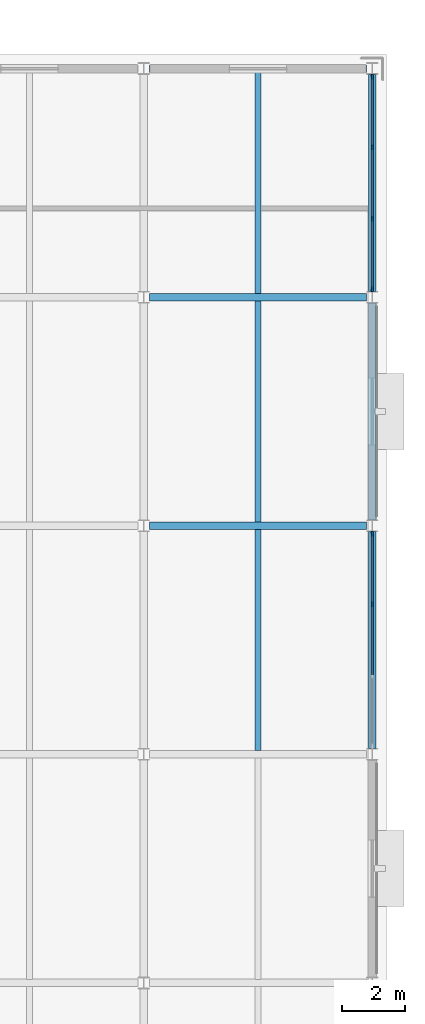
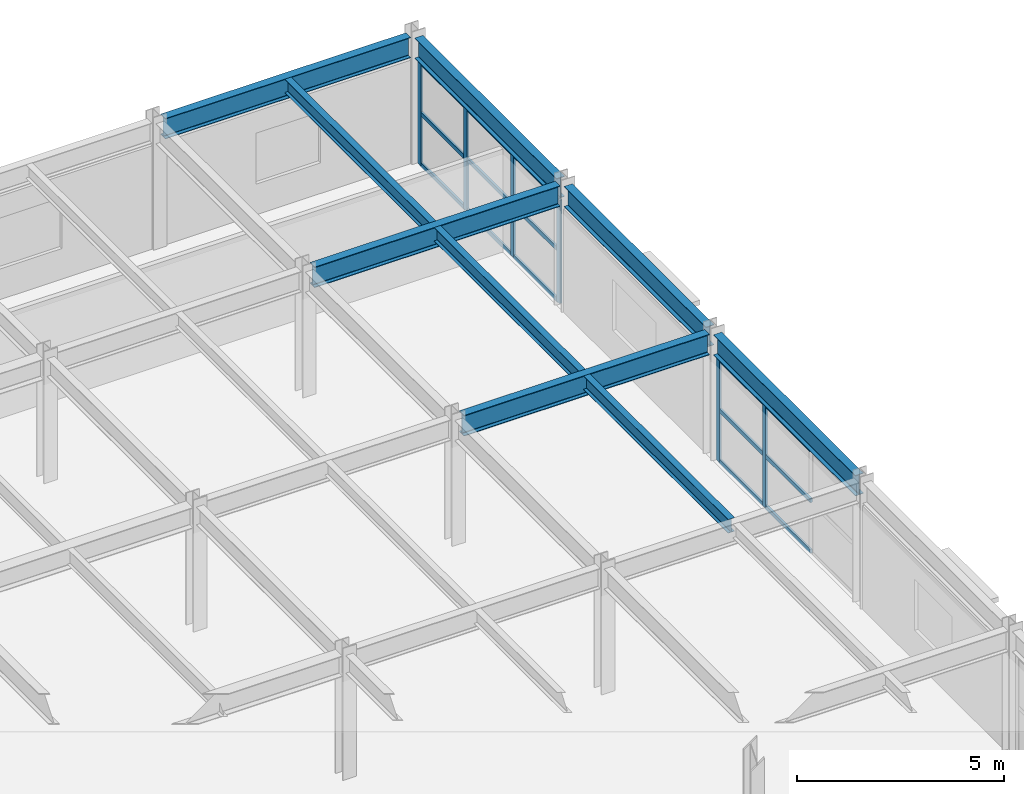
# One storey, part 49 of 93: 21 members, 9 beams, 2 elements without a shape of their own.
"""IFC4 building model written with IfcOpenShell, lengths in metres."""

from ifc_helpers import new_model, si_unit, direction, frame, origin, origin_2d, place, context, subcontext, project, spatial, rectangle, i_section, extrude, material, material_profile, profile_set, type_object, element, aggregate, save


model = new_model("IFC4")

# Units and contexts
model_context = context("Model", 3, precision=1e-05, world=origin(), true_north=direction((0.0, 1.0)))
body_context = subcontext(model_context, "Body", "Model", "MODEL_VIEW")
ifc_project = project(units=[si_unit("LENGTHUNIT", "METRE"), si_unit("AREAUNIT", "SQUARE_METRE"), si_unit("VOLUMEUNIT", "CUBIC_METRE"), si_unit("PLANEANGLEUNIT", "RADIAN"), si_unit("MASSUNIT", "GRAM", prefix="KILO")], contexts=[model_context])

# Site, building, storey
site_placement = place(None, origin())
site = spatial("IfcSite", under=ifc_project, at=site_placement, CompositionType="ELEMENT")
building_placement = place(site_placement, origin())
building = spatial("IfcBuilding", under=site, at=building_placement, Name="Vaelcorin Mobility Hub", CompositionType="ELEMENT")
storey_placement = place(building_placement, frame((0.0, 0.0, 5.39990234375)))
storey = spatial("IfcBuildingStorey", under=building, at=storey_placement, Name="L01", CompositionType="ELEMENT", Elevation=5.39990234375)

# Beams
ifc_material_1 = material(Name="Steel ASTM A992 Grade 50", Category="steel")
ifc_material_profile_1 = material_profile(ifc_material_1, i_section(OverallWidth=0.177978515625, OverallDepth=0.404052734375, WebThickness=0.007568359375, FlangeThickness=0.010986328125, FilletRadius=0.012939453125, at=origin_2d()), Name="W16X36")
ifc_profile_set_1 = profile_set([ifc_material_profile_1], Name="Steel ASTM A992 Grade 50")
beam_type_1 = type_object("IfcBeamType", Name="BM-W16X36", PredefinedType="JOIST", material=ifc_profile_set_1)
for number, where, z_axis, x_axis, name in (
    (1, (200.39990234375, 98.511962890625, 3.498046875), (0.0, 1.0, 0.0), (-1.0, 0.0, 0.0), "L01 Beam V5E-L01-J-02-12-1"),
    (2, (200.39990234375, 105.7119140625, 3.498046875), (0.0, 1.0, 0.0), (-1.0, 0.0, 0.0), "L01 Beam V5E-L01-J-02-13-1"),
):
    element("IfcBeam", number, at=place(storey_placement, frame(where, z_axis=z_axis, x_axis=x_axis)), inside=storey, type_object=beam_type_1, Name=name, PredefinedType="JOIST", context=body_context, shape_type="SweptSolid", body=[
        extrude(i_section(OverallWidth=0.177978515625, OverallDepth=0.404052734375, WebThickness=0.007568359375, FlangeThickness=0.010986328125, FilletRadius=0.012939453125, at=origin_2d()), origin(), (0.0, 0.0, 1.0), 6.97607421875),
    ])
beam_1_placement = place(storey_placement, frame((200.39990234375, 112.912109375, 3.498046875), z_axis=(0.0, 1.0, 0.0), x_axis=(-1.0, 0.0, 0.0)))
element("IfcBeam", 3, at=beam_1_placement, inside=storey, type_object=beam_type_1, Name="L01 Beam V5E-L01-J-02-14-1", PredefinedType="JOIST", context=body_context, shape_type="SweptSolid", body=[
    extrude(i_section(OverallWidth=0.177978515625, OverallDepth=0.404052734375, WebThickness=0.007568359375, FlangeThickness=0.010986328125, FilletRadius=0.012939453125, at=origin_2d()), origin(), (0.0, 0.0, 1.0), 6.975830078125),
])
ifc_material_profile_2 = material_profile(ifc_material_1, i_section(OverallWidth=0.22802734375, OverallDepth=0.60205078125, WebThickness=0.010498046875, FlangeThickness=0.014892578125, FilletRadius=0.014892578125, at=origin_2d()), Name="W24X68")
ifc_profile_set_2 = profile_set([ifc_material_profile_2], Name="Steel ASTM A992 Grade 50")
beam_type_2 = type_object("IfcBeamType", Name="BM-W24X68", PredefinedType="SPANDREL", material=ifc_profile_set_2)
beam_2_placement = place(storey_placement, frame((196.985107421875, 120.0, 3.399169921875), z_axis=(1.0, 0.0, 0.0), x_axis=(0.0, 1.0, 0.0)))
element("IfcBeam", 4, at=beam_2_placement, inside=storey, type_object=beam_type_2, Name="L01 Beam V5E-L01-GX-15-02", PredefinedType="SPANDREL", context=body_context, shape_type="SweptSolid", body=[
    extrude(i_section(OverallWidth=0.22802734375, OverallDepth=0.60205078125, WebThickness=0.010498046875, FlangeThickness=0.014892578125, FilletRadius=0.014892578125, at=origin_2d()), origin(), (0.0, 0.0, 1.0), 6.830810546875),
])
for number, where, z_axis, x_axis, name in (
    (5, (204.0, 98.583984375, 3.399169921875), (0.0, 1.0, 0.0), (-1.0, 0.0, 0.0), "L01 Beam V5E-L01-GY-03-12"),
    (6, (204.0, 105.783935546875, 3.399169921875), (0.0, 1.0, 0.0), (-1.0, 0.0, 0.0), "L01 Beam V5E-L01-GY-03-13"),
    (7, (204.0, 112.98388671875, 3.399169921875), (0.0, 1.0, 0.0), (-1.0, 0.0, 0.0), "L01 Beam V5E-L01-GY-03-14"),
):
    element("IfcBeam", number, at=place(storey_placement, frame(where, z_axis=z_axis, x_axis=x_axis)), inside=storey, type_object=beam_type_2, Name=name, PredefinedType="SPANDREL", context=body_context, shape_type="SweptSolid", body=[
        extrude(i_section(OverallWidth=0.22802734375, OverallDepth=0.60205078125, WebThickness=0.010498046875, FlangeThickness=0.014892578125, FilletRadius=0.014892578125, at=origin_2d()), origin(), (0.0, 0.0, 1.0), 6.83203125),
    ])
ifc_material_profile_3 = material_profile(ifc_material_1, i_section(OverallWidth=0.22900390625, OverallDepth=0.612060546875, WebThickness=0.011962890625, FlangeThickness=0.01953125, FilletRadius=0.014892578125, at=origin_2d()), Name="W24X84")
ifc_profile_set_3 = profile_set([ifc_material_profile_3], Name="Steel ASTM A992 Grade 50")
beam_type_3 = type_object("IfcBeamType", Name="BM-W24X84", PredefinedType="BEAM", material=ifc_profile_set_3)
for number, where, z_axis, x_axis, name in (
    (8, (196.985107421875, 105.60009765625, 3.39404296875), (1.0, 0.0, 0.0), (0.0, 1.0, 0.0), "L01 Beam V5E-L01-GX-13-02"),
    (9, (196.985107421875, 112.800048828125, 3.39404296875), (1.0, 0.0, 0.0), (0.0, 1.0, 0.0), "L01 Beam V5E-L01-GX-14-02"),
):
    element("IfcBeam", number, at=place(storey_placement, frame(where, z_axis=z_axis, x_axis=x_axis)), inside=storey, type_object=beam_type_3, Name=name, PredefinedType="BEAM", context=body_context, shape_type="SweptSolid", body=[
        extrude(i_section(OverallWidth=0.22900390625, OverallDepth=0.612060546875, WebThickness=0.011962890625, FlangeThickness=0.01953125, FilletRadius=0.014892578125, at=origin_2d()), origin(), (0.0, 0.0, 1.0), 6.830810546875),
    ])

# Curtain wall, members
ifc_material_2 = material(Name="Anodised aluminium 6063-T6", Category="aluminium")
curtain_wall_type = type_object("IfcCurtainWallType", Name="CW-MOB-A", PredefinedType="NOTDEFINED", material=ifc_material_2)
curtain_wall_1_placement = place(storey_placement, origin())
curtain_wall_1 = element("IfcCurtainWall", 10, at=curtain_wall_1_placement, inside=storey, type_object=curtain_wall_type, Name="L01 Curtain Wall CW-V5-L01-E-12", PredefinedType="NOTDEFINED")
ifc_material_profile_4 = material_profile(ifc_material_2, rectangle(XDim=0.06005859375, YDim=0.159912109375, at=origin_2d()), Name="ALU-M60X160")
ifc_profile_set_4 = profile_set([ifc_material_profile_4], Name="Anodised aluminium 6063-T6")
member_type_1 = type_object("IfcMemberType", Name="CW-MULL-160", PredefinedType="MULLION", material=ifc_profile_set_4)
member_1_placement = place(storey_placement, frame((204.0, 105.35009765625, 0.0), z_axis=(0.0, 0.0, 1.0), x_axis=(1.0, 0.0, 0.0)))
member_1 = element("IfcMember", 11, at=member_1_placement, type_object=member_type_1, Name="CW7 mullion 1", PredefinedType="MULLION", context=body_context, shape_type="SweptSolid", body=[
    extrude(rectangle(XDim=0.06005859375, YDim=0.159912109375, at=origin_2d()), origin(), (0.0, 0.0, 1.0), 3.043212890625),
])
member_2_placement = place(storey_placement, frame((204.0, 103.126708984375, 0.0), z_axis=(0.0, 0.0, 1.0), x_axis=(1.0, 0.0, 0.0)))
member_2 = element("IfcMember", 12, at=member_2_placement, type_object=member_type_1, Name="CW7 mullion 2", PredefinedType="MULLION", context=body_context, shape_type="SweptSolid", body=[
    extrude(rectangle(XDim=0.06005859375, YDim=0.159912109375, at=origin_2d()), origin(), (0.0, 0.0, 1.0), 3.043212890625),
])

curtain_wall_2_placement = place(storey_placement, origin())
curtain_wall_2 = element("IfcCurtainWall", 13, at=curtain_wall_2_placement, inside=storey, type_object=curtain_wall_type, Name="L01 Curtain Wall CW-V5-L01-E-14", PredefinedType="NOTDEFINED")
member_3_placement = place(storey_placement, frame((204.0, 119.75, 0.0), z_axis=(0.0, 0.0, 1.0), x_axis=(1.0, 0.0, 0.0)))
member_3 = element("IfcMember", 14, at=member_3_placement, type_object=member_type_1, Name="CW7 mullion 1", PredefinedType="MULLION", context=body_context, shape_type="SweptSolid", body=[
    extrude(rectangle(XDim=0.06005859375, YDim=0.159912109375, at=origin_2d()), origin(), (0.0, 0.0, 1.0), 3.043212890625),
])
member_4_placement = place(storey_placement, frame((204.0, 117.526611328125, 0.0), z_axis=(0.0, 0.0, 1.0), x_axis=(1.0, 0.0, 0.0)))
member_4 = element("IfcMember", 15, at=member_4_placement, type_object=member_type_1, Name="CW7 mullion 2", PredefinedType="MULLION", context=body_context, shape_type="SweptSolid", body=[
    extrude(rectangle(XDim=0.06005859375, YDim=0.159912109375, at=origin_2d()), origin(), (0.0, 0.0, 1.0), 3.043212890625),
])
member_5_placement = place(storey_placement, frame((204.0, 115.2734375, 0.0), z_axis=(0.0, 0.0, 1.0), x_axis=(1.0, 0.0, 0.0)))
member_5 = element("IfcMember", 16, at=member_5_placement, type_object=member_type_1, Name="CW7 mullion 3", PredefinedType="MULLION", context=body_context, shape_type="SweptSolid", body=[
    extrude(rectangle(XDim=0.06005859375, YDim=0.159912109375, at=origin_2d()), origin(), (0.0, 0.0, 1.0), 3.043212890625),
])
member_6_placement = place(storey_placement, frame((204.0, 113.050048828125, 0.0), z_axis=(0.0, 0.0, 1.0), x_axis=(1.0, 0.0, 0.0)))
member_6 = element("IfcMember", 17, at=member_6_placement, type_object=member_type_1, Name="CW7 mullion 4", PredefinedType="MULLION", context=body_context, shape_type="SweptSolid", body=[
    extrude(rectangle(XDim=0.06005859375, YDim=0.159912109375, at=origin_2d()), origin(), (0.0, 0.0, 1.0), 3.043212890625),
])

# Member
ifc_material_profile_5 = material_profile(ifc_material_2, rectangle(XDim=0.06005859375, YDim=0.1201171875, at=origin_2d()), Name="ALU-T60X120")
ifc_profile_set_5 = profile_set([ifc_material_profile_5], Name="Anodised aluminium 6063-T6")
member_type_2 = type_object("IfcMemberType", Name="CW-TRAN-140", PredefinedType="USERDEFINED", material=ifc_profile_set_5)
member_7_placement = place(storey_placement, frame((204.0, 105.320068359375, 0.030029296875), z_axis=(0.0, -1.0, 0.0), x_axis=(1.0, 0.0, 0.0)))
member_7 = element("IfcMember", 18, at=member_7_placement, type_object=member_type_2, Name="CW7 transom 1.1", ObjectType="TRANSOM", PredefinedType="USERDEFINED", context=body_context, shape_type="SweptSolid", body=[
    extrude(rectangle(XDim=0.06005859375, YDim=0.1201171875, at=origin_2d()), origin(), (0.0, 0.0, 1.0), 2.163330078125),
])

member_8_placement = place(storey_placement, frame((204.0, 105.320068359375, 1.522216796875), z_axis=(0.0, -1.0, 0.0), x_axis=(1.0, 0.0, 0.0)))
member_8 = element("IfcMember", 19, at=member_8_placement, type_object=member_type_2, Name="CW7 transom 1.2", ObjectType="TRANSOM", PredefinedType="USERDEFINED", context=body_context, shape_type="SweptSolid", body=[
    extrude(rectangle(XDim=0.06005859375, YDim=0.1201171875, at=origin_2d()), origin(), (0.0, 0.0, 1.0), 2.163330078125),
])

member_9_placement = place(storey_placement, frame((204.0, 105.320068359375, 3.01318359375), z_axis=(0.0, -1.0, 0.0), x_axis=(1.0, 0.0, 0.0)))
member_9 = element("IfcMember", 20, at=member_9_placement, type_object=member_type_2, Name="CW7 transom 1.3", ObjectType="TRANSOM", PredefinedType="USERDEFINED", context=body_context, shape_type="SweptSolid", body=[
    extrude(rectangle(XDim=0.06005859375, YDim=0.1201171875, at=origin_2d()), origin(), (0.0, 0.0, 1.0), 2.163330078125),
])

member_10_placement = place(storey_placement, frame((204.0, 103.0966796875, 0.030029296875), z_axis=(0.0, -1.0, 0.0), x_axis=(1.0, 0.0, 0.0)))
member_10 = element("IfcMember", 21, at=member_10_placement, type_object=member_type_2, Name="CW7 transom 2.1", ObjectType="TRANSOM", PredefinedType="USERDEFINED", context=body_context, shape_type="SweptSolid", body=[
    extrude(rectangle(XDim=0.06005859375, YDim=0.1201171875, at=origin_2d()), origin(), (0.0, 0.0, 1.0), 2.193359375),
])

member_11_placement = place(storey_placement, frame((204.0, 103.0966796875, 1.522216796875), z_axis=(0.0, -1.0, 0.0), x_axis=(1.0, 0.0, 0.0)))
member_11 = element("IfcMember", 22, at=member_11_placement, type_object=member_type_2, Name="CW7 transom 2.2", ObjectType="TRANSOM", PredefinedType="USERDEFINED", context=body_context, shape_type="SweptSolid", body=[
    extrude(rectangle(XDim=0.06005859375, YDim=0.1201171875, at=origin_2d()), origin(), (0.0, 0.0, 1.0), 2.193359375),
])

member_12_placement = place(storey_placement, frame((204.0, 103.0966796875, 3.01318359375), z_axis=(0.0, -1.0, 0.0), x_axis=(1.0, 0.0, 0.0)))
member_12 = element("IfcMember", 23, at=member_12_placement, type_object=member_type_2, Name="CW7 transom 2.3", ObjectType="TRANSOM", PredefinedType="USERDEFINED", context=body_context, shape_type="SweptSolid", body=[
    extrude(rectangle(XDim=0.06005859375, YDim=0.1201171875, at=origin_2d()), origin(), (0.0, 0.0, 1.0), 2.193359375),
])

aggregate(curtain_wall_1, [member_1, member_2, member_7, member_8, member_9, member_10, member_11, member_12])

member_13_placement = place(storey_placement, frame((204.0, 119.719970703125, 0.030029296875), z_axis=(0.0, -1.0, 0.0), x_axis=(1.0, 0.0, 0.0)))
member_13 = element("IfcMember", 24, at=member_13_placement, type_object=member_type_2, Name="CW7 transom 1.1", ObjectType="TRANSOM", PredefinedType="USERDEFINED", context=body_context, shape_type="SweptSolid", body=[
    extrude(rectangle(XDim=0.06005859375, YDim=0.1201171875, at=origin_2d()), origin(), (0.0, 0.0, 1.0), 2.163330078125),
])

member_14_placement = place(storey_placement, frame((204.0, 119.719970703125, 1.522216796875), z_axis=(0.0, -1.0, 0.0), x_axis=(1.0, 0.0, 0.0)))
member_14 = element("IfcMember", 25, at=member_14_placement, type_object=member_type_2, Name="CW7 transom 1.2", ObjectType="TRANSOM", PredefinedType="USERDEFINED", context=body_context, shape_type="SweptSolid", body=[
    extrude(rectangle(XDim=0.06005859375, YDim=0.1201171875, at=origin_2d()), origin(), (0.0, 0.0, 1.0), 2.163330078125),
])

member_15_placement = place(storey_placement, frame((204.0, 119.719970703125, 3.01318359375), z_axis=(0.0, -1.0, 0.0), x_axis=(1.0, 0.0, 0.0)))
member_15 = element("IfcMember", 26, at=member_15_placement, type_object=member_type_2, Name="CW7 transom 1.3", ObjectType="TRANSOM", PredefinedType="USERDEFINED", context=body_context, shape_type="SweptSolid", body=[
    extrude(rectangle(XDim=0.06005859375, YDim=0.1201171875, at=origin_2d()), origin(), (0.0, 0.0, 1.0), 2.163330078125),
])

member_16_placement = place(storey_placement, frame((204.0, 117.49658203125, 0.030029296875), z_axis=(0.0, -1.0, 0.0), x_axis=(1.0, 0.0, 0.0)))
member_16 = element("IfcMember", 27, at=member_16_placement, type_object=member_type_2, Name="CW7 transom 2.1", ObjectType="TRANSOM", PredefinedType="USERDEFINED", context=body_context, shape_type="SweptSolid", body=[
    extrude(rectangle(XDim=0.06005859375, YDim=0.1201171875, at=origin_2d()), origin(), (0.0, 0.0, 1.0), 2.193359375),
])

member_17_placement = place(storey_placement, frame((204.0, 117.49658203125, 1.522216796875), z_axis=(0.0, -1.0, 0.0), x_axis=(1.0, 0.0, 0.0)))
member_17 = element("IfcMember", 28, at=member_17_placement, type_object=member_type_2, Name="CW7 transom 2.2", ObjectType="TRANSOM", PredefinedType="USERDEFINED", context=body_context, shape_type="SweptSolid", body=[
    extrude(rectangle(XDim=0.06005859375, YDim=0.1201171875, at=origin_2d()), origin(), (0.0, 0.0, 1.0), 2.193359375),
])

member_18_placement = place(storey_placement, frame((204.0, 117.49658203125, 3.01318359375), z_axis=(0.0, -1.0, 0.0), x_axis=(1.0, 0.0, 0.0)))
member_18 = element("IfcMember", 29, at=member_18_placement, type_object=member_type_2, Name="CW7 transom 2.3", ObjectType="TRANSOM", PredefinedType="USERDEFINED", context=body_context, shape_type="SweptSolid", body=[
    extrude(rectangle(XDim=0.06005859375, YDim=0.1201171875, at=origin_2d()), origin(), (0.0, 0.0, 1.0), 2.193359375),
])

member_19_placement = place(storey_placement, frame((204.0, 115.243408203125, 0.030029296875), z_axis=(0.0, -1.0, 0.0), x_axis=(1.0, 0.0, 0.0)))
member_19 = element("IfcMember", 30, at=member_19_placement, type_object=member_type_2, Name="CW7 transom 3.1", ObjectType="TRANSOM", PredefinedType="USERDEFINED", context=body_context, shape_type="SweptSolid", body=[
    extrude(rectangle(XDim=0.06005859375, YDim=0.1201171875, at=origin_2d()), origin(), (0.0, 0.0, 1.0), 2.163330078125),
])

member_20_placement = place(storey_placement, frame((204.0, 115.243408203125, 1.522216796875), z_axis=(0.0, -1.0, 0.0), x_axis=(1.0, 0.0, 0.0)))
member_20 = element("IfcMember", 31, at=member_20_placement, type_object=member_type_2, Name="CW7 transom 3.2", ObjectType="TRANSOM", PredefinedType="USERDEFINED", context=body_context, shape_type="SweptSolid", body=[
    extrude(rectangle(XDim=0.06005859375, YDim=0.1201171875, at=origin_2d()), origin(), (0.0, 0.0, 1.0), 2.163330078125),
])

member_21_placement = place(storey_placement, frame((204.0, 115.243408203125, 3.01318359375), z_axis=(0.0, -1.0, 0.0), x_axis=(1.0, 0.0, 0.0)))
member_21 = element("IfcMember", 32, at=member_21_placement, type_object=member_type_2, Name="CW7 transom 3.3", ObjectType="TRANSOM", PredefinedType="USERDEFINED", context=body_context, shape_type="SweptSolid", body=[
    extrude(rectangle(XDim=0.06005859375, YDim=0.1201171875, at=origin_2d()), origin(), (0.0, 0.0, 1.0), 2.163330078125),
])

aggregate(curtain_wall_2, [member_3, member_4, member_5, member_6, member_13, member_14, member_15, member_16, member_17, member_18, member_19, member_20, member_21])

save(model, "model.ifc")
